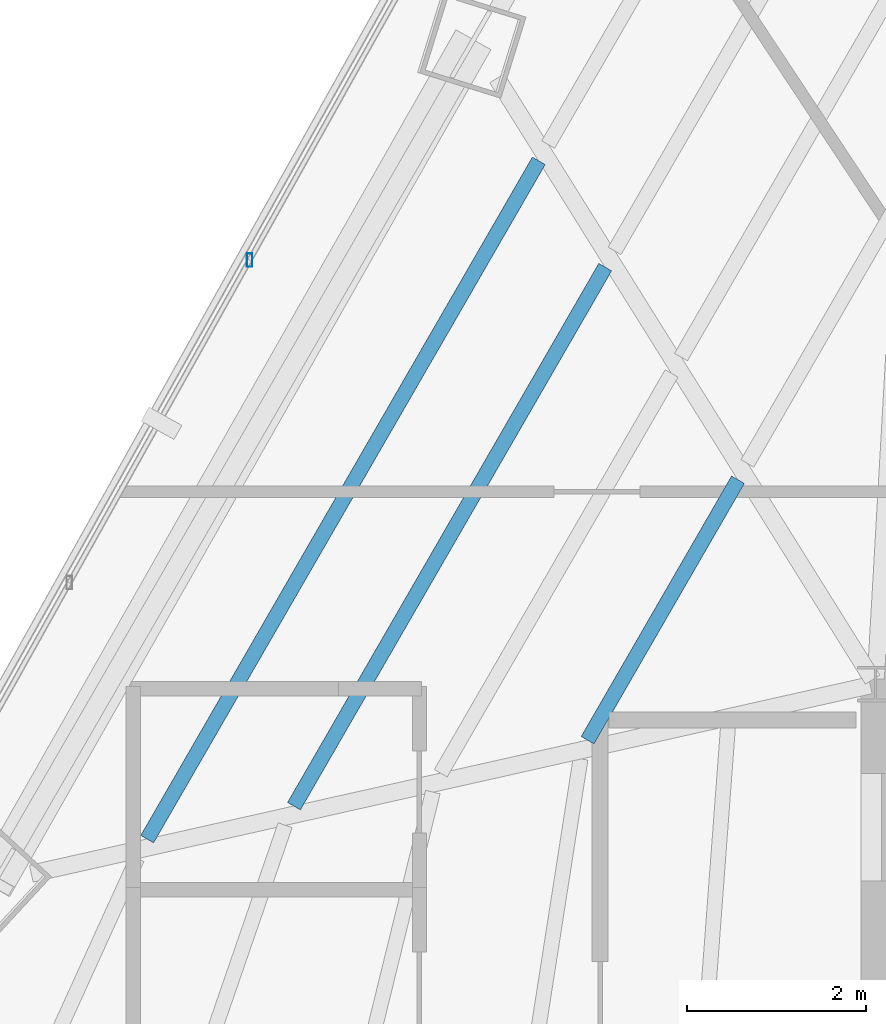
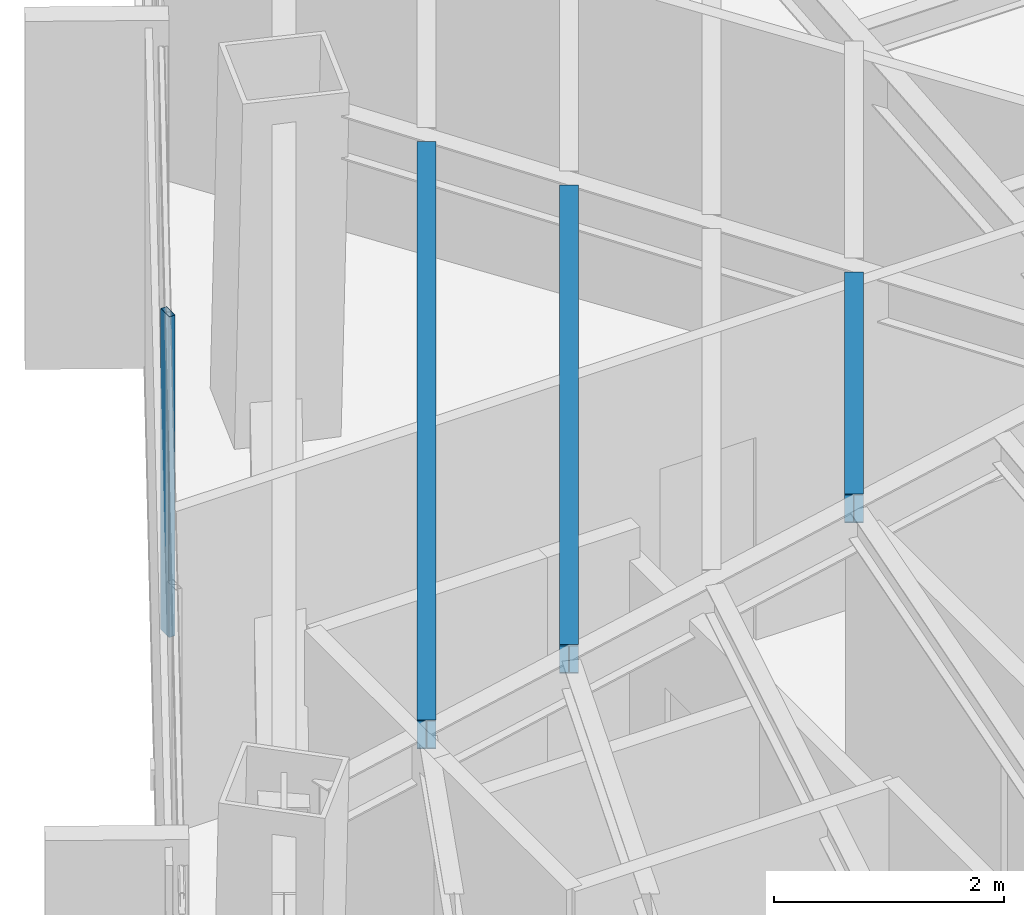
# One storey, part 15 of 39: 3 beams, 1 member, 1 element without a shape of its own.
"""IFC4 building model written with IfcOpenShell, lengths in metres."""

from ifc_helpers import new_model, si_unit, direction, frame, origin, origin_2d, place, context, subcontext, project, spatial, hollow_rectangle, i_section, extrude, source, transform, mapped, material, material_profile, profile_set, type_object, type_shapes, element, aggregate, save


model = new_model("IFC4")

# Units and contexts
model_context = context("Model", 3, precision=1e-05, world=origin(), true_north=direction((0.0, 1.0)))
body_context = subcontext(model_context, "Body", "Model", "MODEL_VIEW")
ifc_project = project(units=[si_unit("LENGTHUNIT", "METRE"), si_unit("AREAUNIT", "SQUARE_METRE"), si_unit("VOLUMEUNIT", "CUBIC_METRE"), si_unit("PLANEANGLEUNIT", "RADIAN"), si_unit("MASSUNIT", "GRAM", prefix="KILO")], contexts=[model_context])

# Site, building, storey
site_placement = place(None, origin())
site = spatial("IfcSite", under=ifc_project, at=site_placement, CompositionType="ELEMENT")
building_placement = place(site_placement, origin())
building = spatial("IfcBuilding", under=site, at=building_placement, Name="Caelisora Broadcast Tower", CompositionType="ELEMENT")
storey_placement = place(building_placement, frame((0.0, 0.0, 139.10009765625)))
storey = spatial("IfcBuildingStorey", under=building, at=storey_placement, Name="L36", CompositionType="ELEMENT", Elevation=139.10009765625)

# Beams
ifc_material_1 = material(Name="Steel Grade 350 (AS/NZS 3679.1)", Category="steel")
ifc_material_profile_1 = material_profile(ifc_material_1, i_section(OverallWidth=0.166015625, OverallDepth=0.30712890625, WebThickness=0.006591796875, FlangeThickness=0.01171875, at=origin_2d()), Name="Steel Grade 350 (AS/NZS 3679.1)")
ifc_profile_set_1 = profile_set([ifc_material_profile_1], Name="Steel Grade 350 (AS/NZS 3679.1)")
beam_type = type_object("IfcBeamType", Name="SB03", PredefinedType="JOIST", material=ifc_profile_set_1)
shared_shape_1 = source(origin(), body_context, "Body", "SweptSolid", [
    extrude(i_section(OverallWidth=0.166015625, OverallDepth=0.30712890625, WebThickness=0.006591796875, FlangeThickness=0.01171875, at=origin_2d()), origin(), (0.0, 0.0, 1.0), 3.364013671875),
])
beam_1_placement = place(storey_placement, frame((28.96240234375, 32.285888671875, 3.246337890625), z_axis=(-0.500026084466, -0.866010343387, 0.0), x_axis=(0.866010343387, -0.500026084466, 0.0)))
element("IfcBeam", 1, at=beam_1_placement, inside=storey, type_object=beam_type, Name="L36 beam SB03", PredefinedType="JOIST", context=body_context, shape_type="MappedRepresentation", body=[
    mapped(shared_shape_1, transform((0.0, 0.0, 0.0), scale=1.0)),
])
shared_shape_2 = source(origin(), body_context, "Body", "SweptSolid", [
    extrude(i_section(OverallWidth=0.166015625, OverallDepth=0.30712890625, WebThickness=0.006591796875, FlangeThickness=0.01171875, at=origin_2d()), origin(), (0.0, 0.0, 1.0), 6.96044921875),
])
beam_2_placement = place(storey_placement, frame((27.477294921875, 34.6630859375, 3.246337890625), z_axis=(-0.500005836264, -0.866022034189, 0.0), x_axis=(0.866022034189, -0.500005836264, 0.0)))
element("IfcBeam", 2, at=beam_2_placement, inside=storey, type_object=beam_type, Name="L36 beam SB03", PredefinedType="JOIST", context=body_context, shape_type="MappedRepresentation", body=[
    mapped(shared_shape_2, transform((0.0, 0.0, 0.0), scale=1.0)),
])
shared_shape_3 = source(origin(), body_context, "Body", "SweptSolid", [
    extrude(i_section(OverallWidth=0.166015625, OverallDepth=0.30712890625, WebThickness=0.006591796875, FlangeThickness=0.01171875, at=origin_2d()), origin(), (0.0, 0.0, 1.0), 8.75830078125),
])
type_shapes(beam_type, [shared_shape_1, shared_shape_2, shared_shape_3])
beam_3_placement = place(storey_placement, frame((26.734619140625, 35.8515625, 3.246337890625), z_axis=(-0.499997529631, -0.866026830048, 0.0), x_axis=(0.866026830048, -0.499997529631, 0.0)))
element("IfcBeam", 3, at=beam_3_placement, inside=storey, type_object=beam_type, Name="L36 beam SB03", PredefinedType="JOIST", context=body_context, shape_type="MappedRepresentation", body=[
    mapped(shared_shape_3, transform((0.0, 0.0, 0.0), scale=1.0)),
])

# Curtain wall, member
ifc_material_2 = material(Name="Unitised Aluminium Insulated Shadow-Box Spandrel Curtain Wall", Category="aluminium")
curtain_wall_type = type_object("IfcCurtainWallType", Name="CW-SP2", PredefinedType="NOTDEFINED", material=ifc_material_2)
curtain_wall_placement = place(storey_placement, origin())
curtain_wall = element("IfcCurtainWall", 4, at=curtain_wall_placement, inside=storey, type_object=curtain_wall_type, Name="L36 curtain wall CW-SP2", PredefinedType="NOTDEFINED")
ifc_material_3 = material(Name="Aluminium 6063-T6 Anodised Terracotta Bronze", Category="aluminium")
ifc_material_profile_2 = material_profile(ifc_material_3, hollow_rectangle(XDim=0.06005859375, YDim=0.14990234375, WallThickness=0.00341796875, at=origin_2d()), Name="Aluminium 6063-T6 Anodised Terracotta Bronze")
ifc_profile_set_2 = profile_set([ifc_material_profile_2], Name="Aluminium 6063-T6 Anodised Terracotta Bronze")
member_type = type_object("IfcMemberType", Name="CWM-03", PredefinedType="MULLION", material=ifc_profile_set_2)
shared_shape_4 = source(origin(), body_context, "Body", "SweptSolid", [
    extrude(hollow_rectangle(XDim=0.06005859375, YDim=0.14990234375, WallThickness=0.00341796875, at=origin_2d()), origin(), (0.0, 0.0, 1.0), 3.39990234375),
])
type_shapes(member_type, [shared_shape_4])
member_placement = place(storey_placement, frame((23.501220703125, 34.741455078125, 0.0), z_axis=(0.0, 0.0, 1.0), x_axis=(1.0, 0.0, 0.0)))
member = element("IfcMember", 5, at=member_placement, type_object=member_type, Name="L36-CW-B10 mullion #2", PredefinedType="MULLION", context=body_context, shape_type="MappedRepresentation", body=[
    mapped(shared_shape_4, transform((0.0, 0.0, 0.0), scale=1.0)),
])
aggregate(curtain_wall, [member])

save(model, "model.ifc")
